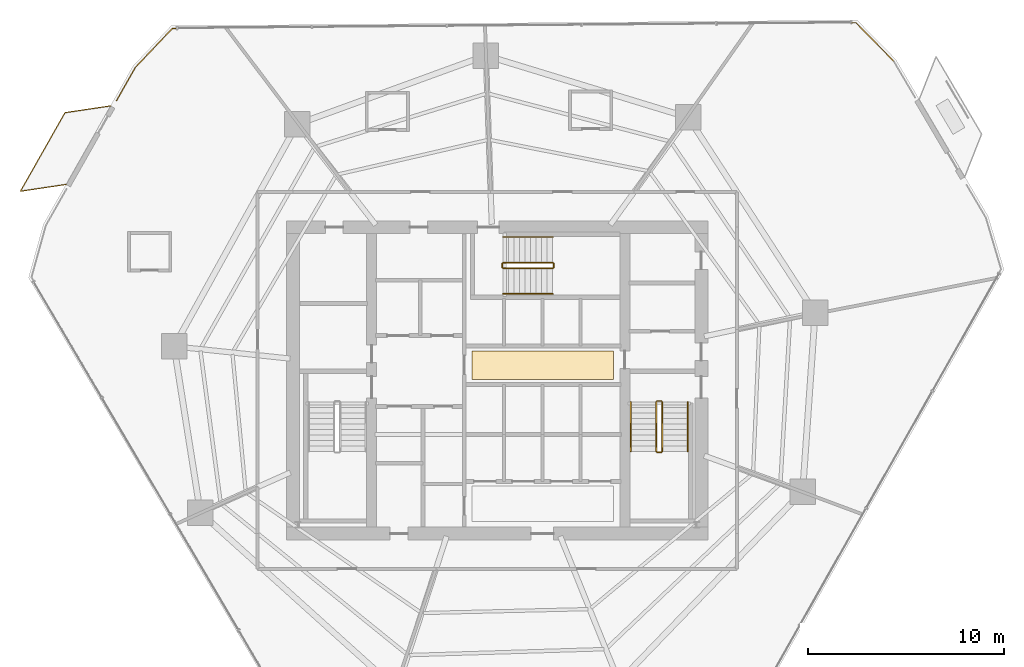
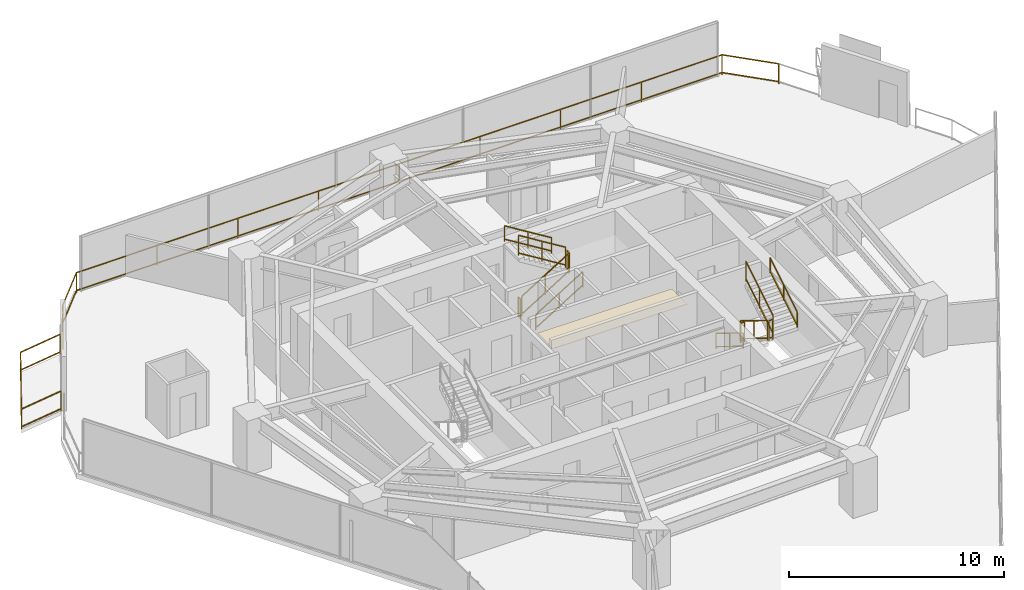
# One storey, part 30 of 31: 14 railings, 1 covering.
"""IFC4 building model written with IfcOpenShell, lengths in metres."""

from ifc_helpers import new_model, si_unit, direction, frame, origin, origin_2d, place, context, subcontext, project, spatial, rectangle, extrude, material, layer, layer_set, type_object, element, save


model = new_model("IFC4")

# Units and contexts
model_context = context("Model", 3, precision=1e-05, world=origin(), true_north=direction((0.0, 1.0)))
body_context = subcontext(model_context, "Body", "Model", "MODEL_VIEW")
ifc_project = project(units=[si_unit("LENGTHUNIT", "METRE"), si_unit("AREAUNIT", "SQUARE_METRE"), si_unit("VOLUMEUNIT", "CUBIC_METRE"), si_unit("PLANEANGLEUNIT", "RADIAN"), si_unit("MASSUNIT", "GRAM", prefix="KILO")], contexts=[model_context])

# Site, building, storey
site_placement = place(None, origin())
site = spatial("IfcSite", under=ifc_project, at=site_placement, CompositionType="ELEMENT")
building_placement = place(site_placement, origin())
building = spatial("IfcBuilding", under=site, at=building_placement, Name="Qarnah Convention Tower", CompositionType="ELEMENT")
storey_placement = place(building_placement, frame((0.0, 0.0, 68.39990234375)))
storey = spatial("IfcBuildingStorey", under=building, at=storey_placement, Name="L17", CompositionType="ELEMENT", Elevation=68.39990234375)

# Covering
ifc_material_1 = material(Name="Mineral fibre acoustic ceiling")
ifc_layer = layer(ifc_material_1, 0.02001953125)
ifc_layer_set = layer_set([ifc_layer], Name="Mineral fibre acoustic ceiling")
covering_type = type_object("IfcCoveringType", Name="COV-CEIL-20", PredefinedType="CEILING", material=ifc_layer_set)
covering_placement = place(storey_placement, frame((39.52001953125, 27.179931640625, 2.2900390625), z_axis=(0.0, 0.0, 1.0), x_axis=(1.0, 0.0, 0.0)))
element("IfcCovering", 1, at=covering_placement, inside=storey, type_object=covering_type, Name="L17 lift lobby acoustic ceiling", PredefinedType="CEILING", context=body_context, shape_type="SweptSolid", body=[
    extrude(rectangle(XDim=7.199951171875, YDim=1.449951171875, at=origin_2d()), origin(), (0.0, 0.0, 1.0), 0.02001953125),
])

# Railings
ifc_material_2 = material(Name="Black anodised aluminium", Category="aluminium")
railing_type_1 = type_object("IfcRailingType", Name="RL-EXT-GUARD-1150", PredefinedType="GUARDRAIL", material=ifc_material_2)
railing_1_placement = place(storey_placement, frame((17.81298828125, 40.64697265625, 0.0)))
element("IfcRailing", 2, at=railing_1_placement, inside=storey, type_object=railing_type_1, Name="L17 slab-edge perimeter safety guard 03", PredefinedType="GUARDRAIL", context=body_context, shape_type="SweptSolid", body=[
    extrude(rectangle(XDim=0.048095703125, YDim=0.048095703125, at=origin_2d()), frame((0.0, 0.0, 1.1259765625), z_axis=(0.492497371067, 0.870313931574, 0.0), x_axis=(-0.870313931574, 0.492497371067, 0.0)), (0.0, 0.0, 1.0), 1.937255859375),
    extrude(rectangle(XDim=0.048095703125, YDim=0.048095703125, at=origin_2d()), frame((0.0, 0.0, 0.1201171875), z_axis=(0.492497371067, 0.870313931574, 0.0), x_axis=(-0.870313931574, 0.492497371067, 0.0)), (0.0, 0.0, 1.0), 1.937255859375),
    extrude(rectangle(XDim=0.048095703125, YDim=0.048095703125, at=origin_2d()), frame((0.9541015625, 1.68603515625, 1.1259765625), z_axis=(0.688616052253, 0.725126149424, 0.0), x_axis=(-0.725126149424, 0.688616052253, 0.0)), (0.0, 0.0, 1.0), 2.74169921875),
    extrude(rectangle(XDim=0.048095703125, YDim=0.048095703125, at=origin_2d()), frame((0.9541015625, 1.68603515625, 0.1201171875), z_axis=(0.688616052253, 0.725126149424, 0.0), x_axis=(-0.725126149424, 0.688616052253, 0.0)), (0.0, 0.0, 1.0), 2.74169921875),
    extrude(rectangle(XDim=0.048095703125, YDim=0.048095703125, at=origin_2d()), frame((2.842041015625, 3.674072265625, 1.1259765625), z_axis=(0.999965062064, 0.008359105951, 0.0), x_axis=(-0.008359105951, 0.999965062064, 0.0)), (0.0, 0.0, 1.0), 34.814208984375),
    extrude(rectangle(XDim=0.048095703125, YDim=0.048095703125, at=origin_2d()), frame((2.842041015625, 3.674072265625, 0.1201171875), z_axis=(0.999965062064, 0.008359105951, 0.0), x_axis=(-0.008359105951, 0.999965062064, 0.0)), (0.0, 0.0, 1.0), 34.814208984375),
    extrude(rectangle(XDim=0.048095703125, YDim=0.048095703125, at=origin_2d()), frame((37.655029296875, 3.965087890625, 1.1259765625), z_axis=(0.700662662109, -0.713492700682, 0.0), x_axis=(0.713492700682, 0.700662662109, 0.0)), (0.0, 0.0, 1.0), 2.740234375),
    extrude(rectangle(XDim=0.048095703125, YDim=0.048095703125, at=origin_2d()), frame((37.655029296875, 3.965087890625, 0.1201171875), z_axis=(0.700662662109, -0.713492700682, 0.0), x_axis=(0.713492700682, 0.700662662109, 0.0)), (0.0, 0.0, 1.0), 2.740234375),
    extrude(rectangle(XDim=0.0419921875, YDim=0.0419921875, at=origin_2d()), origin(), (0.0, 0.0, 1.0), 1.101806640625),
    extrude(rectangle(XDim=0.0419921875, YDim=0.0419921875, at=origin_2d()), frame((0.9541015625, 1.68603515625, 0.0)), (0.0, 0.0, 1.0), 1.101806640625),
    extrude(rectangle(XDim=0.0419921875, YDim=0.0419921875, at=origin_2d()), frame((2.842041015625, 3.674072265625, 0.0)), (0.0, 0.0, 1.0), 1.101806640625),
    extrude(rectangle(XDim=0.0419921875, YDim=0.0419921875, at=origin_2d()), frame((7.193603515625, 3.71044921875, 0.0)), (0.0, 0.0, 1.0), 1.101806640625),
    extrude(rectangle(XDim=0.0419921875, YDim=0.0419921875, at=origin_2d()), frame((11.54541015625, 3.746826171875, 0.0)), (0.0, 0.0, 1.0), 1.101806640625),
    extrude(rectangle(XDim=0.0419921875, YDim=0.0419921875, at=origin_2d()), frame((15.89697265625, 3.783203125, 0.0)), (0.0, 0.0, 1.0), 1.101806640625),
    extrude(rectangle(XDim=0.0419921875, YDim=0.0419921875, at=origin_2d()), frame((20.24853515625, 3.819580078125, 0.0)), (0.0, 0.0, 1.0), 1.101806640625),
    extrude(rectangle(XDim=0.0419921875, YDim=0.0419921875, at=origin_2d()), frame((24.60009765625, 3.85595703125, 0.0)), (0.0, 0.0, 1.0), 1.101806640625),
    extrude(rectangle(XDim=0.0419921875, YDim=0.0419921875, at=origin_2d()), frame((28.95166015625, 3.892333984375, 0.0)), (0.0, 0.0, 1.0), 1.101806640625),
    extrude(rectangle(XDim=0.0419921875, YDim=0.0419921875, at=origin_2d()), frame((33.303466796875, 3.9287109375, 0.0)), (0.0, 0.0, 1.0), 1.101806640625),
    extrude(rectangle(XDim=0.0419921875, YDim=0.0419921875, at=origin_2d()), frame((37.655029296875, 3.965087890625, 0.0)), (0.0, 0.0, 1.0), 1.101806640625),
    extrude(rectangle(XDim=0.0419921875, YDim=0.0419921875, at=origin_2d()), frame((39.574951171875, 2.010009765625, 0.0)), (0.0, 0.0, 1.0), 1.101806640625),
])
railing_2_placement = place(storey_placement, frame((15.239013671875, 36.3759765625, 0.0)))
element("IfcRailing", 3, at=railing_2_placement, inside=storey, type_object=railing_type_1, Name="L17 balcony safety guard BAL-L17-C2", PredefinedType="GUARDRAIL", context=body_context, shape_type="SweptSolid", body=[
    extrude(rectangle(XDim=0.048095703125, YDim=0.048095703125, at=origin_2d()), frame((0.0, 0.0, 1.1259765625), z_axis=(-0.98908308417, -0.147358924432, 0.0), x_axis=(0.147358924432, -0.98908308417, 0.0)), (0.0, 0.0, 1.0), 2.34765625),
    extrude(rectangle(XDim=0.048095703125, YDim=0.048095703125, at=origin_2d()), frame((0.0, 0.0, 0.1201171875), z_axis=(-0.98908308417, -0.147358924432, 0.0), x_axis=(0.147358924432, -0.98908308417, 0.0)), (0.0, 0.0, 1.0), 2.34765625),
    extrude(rectangle(XDim=0.048095703125, YDim=0.048095703125, at=origin_2d()), frame((-2.322021484375, -0.345947265625, 1.1259765625), z_axis=(0.492809026367, 0.870137496911, 0.0), x_axis=(-0.870137496911, 0.492809026367, 0.0)), (0.0, 0.0, 1.0), 4.600341796875),
    extrude(rectangle(XDim=0.048095703125, YDim=0.048095703125, at=origin_2d()), frame((-2.322021484375, -0.345947265625, 0.1201171875), z_axis=(0.492809026367, 0.870137496911, 0.0), x_axis=(-0.870137496911, 0.492809026367, 0.0)), (0.0, 0.0, 1.0), 4.600341796875),
    extrude(rectangle(XDim=0.048095703125, YDim=0.048095703125, at=origin_2d()), frame((-0.054931640625, 3.656982421875, 1.1259765625), z_axis=(0.98908308417, 0.147358924432, 0.0), x_axis=(-0.147358924432, 0.98908308417, 0.0)), (0.0, 0.0, 1.0), 2.34765625),
    extrude(rectangle(XDim=0.048095703125, YDim=0.048095703125, at=origin_2d()), frame((-0.054931640625, 3.656982421875, 0.1201171875), z_axis=(0.98908308417, 0.147358924432, 0.0), x_axis=(-0.147358924432, 0.98908308417, 0.0)), (0.0, 0.0, 1.0), 2.34765625),
    extrude(rectangle(XDim=0.0419921875, YDim=0.0419921875, at=origin_2d()), origin(), (0.0, 0.0, 1.0), 1.101806640625),
    extrude(rectangle(XDim=0.0419921875, YDim=0.0419921875, at=origin_2d()), frame((-2.322021484375, -0.345947265625, 0.0)), (0.0, 0.0, 1.0), 1.101806640625),
    extrude(rectangle(XDim=0.0419921875, YDim=0.0419921875, at=origin_2d()), frame((-1.1884765625, 1.655517578125, 0.0)), (0.0, 0.0, 1.0), 1.101806640625),
    extrude(rectangle(XDim=0.0419921875, YDim=0.0419921875, at=origin_2d()), frame((-0.054931640625, 3.656982421875, 0.0)), (0.0, 0.0, 1.0), 1.101806640625),
    extrude(rectangle(XDim=0.0419921875, YDim=0.0419921875, at=origin_2d()), frame((2.26708984375, 4.0029296875, 0.0)), (0.0, 0.0, 1.0), 1.101806640625),
])
ifc_material_3 = material(Name="Structural steel S355JR", Category="steel")
railing_type_2 = type_object("IfcRailingType", Name="RL-STAIR-GUARD-1150", PredefinedType="GUARDRAIL", material=ifc_material_3)
railing_3_placement = place(storey_placement, frame((45.300048828125, 25.300048828125, 0.172607421875)))
element("IfcRailing", 4, at=railing_3_placement, inside=storey, type_object=railing_type_2, Name="L17 ST-2 stair guard 1", PredefinedType="GUARDRAIL", context=body_context, shape_type="SweptSolid", body=[
    extrude(rectangle(XDim=0.048095703125, YDim=0.048095703125, at=origin_2d()), frame((0.0, 0.0, 1.1259765625), z_axis=(0.0, -0.851400495292, 0.524516154772), x_axis=(1.0, 0.0, 0.0)), (0.0, 0.0, 1.0), 2.9599609375),
    extrude(rectangle(XDim=0.048095703125, YDim=0.048095703125, at=origin_2d()), frame((0.0, 0.0, 0.1201171875), z_axis=(0.0, -0.851400495292, 0.524516154772), x_axis=(1.0, 0.0, 0.0)), (0.0, 0.0, 1.0), 2.9599609375),
    extrude(rectangle(XDim=0.0419921875, YDim=0.0419921875, at=origin_2d()), origin(), (0.0, 0.0, 1.0), 1.101806640625),
    extrude(rectangle(XDim=0.0419921875, YDim=0.0419921875, at=origin_2d()), frame((0.0, -1.260009765625, 0.7763671875)), (0.0, 0.0, 1.0), 1.101806640625),
    extrude(rectangle(XDim=0.0419921875, YDim=0.0419921875, at=origin_2d()), frame((0.0, -2.52001953125, 1.552490234375)), (0.0, 0.0, 1.0), 1.101806640625),
])
railing_4_placement = place(storey_placement, frame((45.35009765625, 22.72998046875, 1.72509765625)))
element("IfcRailing", 5, at=railing_4_placement, inside=storey, type_object=railing_type_2, Name="L17 ST-2 stair guard 2", PredefinedType="GUARDRAIL", context=body_context, shape_type="SweptSolid", body=[
    extrude(rectangle(XDim=0.048095703125, YDim=0.048095703125, at=origin_2d()), frame((0.0, 0.0, 1.1259765625), z_axis=(1.0, 0.0, 0.0), x_axis=(0.0, 1.0, 0.0)), (0.0, 0.0, 1.0), 0.199951171875),
    extrude(rectangle(XDim=0.048095703125, YDim=0.048095703125, at=origin_2d()), frame((0.0, 0.0, 0.1201171875), z_axis=(1.0, 0.0, 0.0), x_axis=(0.0, 1.0, 0.0)), (0.0, 0.0, 1.0), 0.199951171875),
    extrude(rectangle(XDim=0.0419921875, YDim=0.0419921875, at=origin_2d()), origin(), (0.0, 0.0, 1.0), 1.101806640625),
    extrude(rectangle(XDim=0.0419921875, YDim=0.0419921875, at=origin_2d()), frame((0.199951171875, 0.0, 0.0)), (0.0, 0.0, 1.0), 1.101806640625),
])
railing_5_placement = place(storey_placement, frame((45.60009765625, 22.780029296875, 1.897705078125)))
element("IfcRailing", 6, at=railing_5_placement, inside=storey, type_object=railing_type_2, Name="L17 ST-2 stair guard 3", PredefinedType="GUARDRAIL", context=body_context, shape_type="SweptSolid", body=[
    extrude(rectangle(XDim=0.048095703125, YDim=0.048095703125, at=origin_2d()), frame((0.0, 0.0, 1.1259765625), z_axis=(0.0, 0.851400495292, 0.524516154772), x_axis=(-1.0, 0.0, 0.0)), (0.0, 0.0, 1.0), 2.9599609375),
    extrude(rectangle(XDim=0.048095703125, YDim=0.048095703125, at=origin_2d()), frame((0.0, 0.0, 0.1201171875), z_axis=(0.0, 0.851400495292, 0.524516154772), x_axis=(-1.0, 0.0, 0.0)), (0.0, 0.0, 1.0), 2.9599609375),
    extrude(rectangle(XDim=0.0419921875, YDim=0.0419921875, at=origin_2d()), origin(), (0.0, 0.0, 1.0), 1.101806640625),
    extrude(rectangle(XDim=0.0419921875, YDim=0.0419921875, at=origin_2d()), frame((0.0, 1.260009765625, 0.7763671875)), (0.0, 0.0, 1.0), 1.101806640625),
    extrude(rectangle(XDim=0.0419921875, YDim=0.0419921875, at=origin_2d()), frame((0.0, 2.52001953125, 1.552490234375)), (0.0, 0.0, 1.0), 1.101806640625),
])
railing_6_placement = place(storey_placement, frame((45.35009765625, 25.35009765625, 0.0)))
element("IfcRailing", 7, at=railing_6_placement, inside=storey, type_object=railing_type_2, Name="L17 ST-2 stair guard 4", PredefinedType="GUARDRAIL", context=body_context, shape_type="SweptSolid", body=[
    extrude(rectangle(XDim=0.048095703125, YDim=0.048095703125, at=origin_2d()), frame((0.0, 0.0, 1.1259765625), z_axis=(1.0, 0.0, 0.0), x_axis=(0.0, 1.0, 0.0)), (0.0, 0.0, 1.0), 0.199951171875),
    extrude(rectangle(XDim=0.048095703125, YDim=0.048095703125, at=origin_2d()), frame((0.0, 0.0, 0.1201171875), z_axis=(1.0, 0.0, 0.0), x_axis=(0.0, 1.0, 0.0)), (0.0, 0.0, 1.0), 0.199951171875),
    extrude(rectangle(XDim=0.0419921875, YDim=0.0419921875, at=origin_2d()), origin(), (0.0, 0.0, 1.0), 1.101806640625),
    extrude(rectangle(XDim=0.0419921875, YDim=0.0419921875, at=origin_2d()), frame((0.199951171875, 0.0, 0.0)), (0.0, 0.0, 1.0), 1.101806640625),
])
railing_7_placement = place(storey_placement, frame((37.5, 32.10009765625, 0.172607421875)))
element("IfcRailing", 8, at=railing_7_placement, inside=storey, type_object=railing_type_2, Name="L17 ST-3 stair guard 1", PredefinedType="GUARDRAIL", context=body_context, shape_type="SweptSolid", body=[
    extrude(rectangle(XDim=0.048095703125, YDim=0.048095703125, at=origin_2d()), frame((0.0, 0.0, 1.1259765625), z_axis=(0.851400495292, 0.0, 0.524516154772), x_axis=(0.0, 1.0, 0.0)), (0.0, 0.0, 1.0), 2.9599609375),
    extrude(rectangle(XDim=0.048095703125, YDim=0.048095703125, at=origin_2d()), frame((0.0, 0.0, 0.1201171875), z_axis=(0.851400495292, 0.0, 0.524516154772), x_axis=(0.0, 1.0, 0.0)), (0.0, 0.0, 1.0), 2.9599609375),
    extrude(rectangle(XDim=0.0419921875, YDim=0.0419921875, at=origin_2d()), origin(), (0.0, 0.0, 1.0), 1.101806640625),
    extrude(rectangle(XDim=0.0419921875, YDim=0.0419921875, at=origin_2d()), frame((1.260009765625, 0.0, 0.7763671875)), (0.0, 0.0, 1.0), 1.101806640625),
    extrude(rectangle(XDim=0.0419921875, YDim=0.0419921875, at=origin_2d()), frame((2.52001953125, 0.0, 1.552490234375)), (0.0, 0.0, 1.0), 1.101806640625),
])
railing_8_placement = place(storey_placement, frame((40.070068359375, 32.14990234375, 1.72509765625)))
element("IfcRailing", 9, at=railing_8_placement, inside=storey, type_object=railing_type_2, Name="L17 ST-3 stair guard 2", PredefinedType="GUARDRAIL", context=body_context, shape_type="SweptSolid", body=[
    extrude(rectangle(XDim=0.048095703125, YDim=0.048095703125, at=origin_2d()), frame((0.0, 0.0, 1.1259765625), z_axis=(0.0, 1.0, 0.0), x_axis=(-1.0, 0.0, 0.0)), (0.0, 0.0, 1.0), 0.2001953125),
    extrude(rectangle(XDim=0.048095703125, YDim=0.048095703125, at=origin_2d()), frame((0.0, 0.0, 0.1201171875), z_axis=(0.0, 1.0, 0.0), x_axis=(-1.0, 0.0, 0.0)), (0.0, 0.0, 1.0), 0.2001953125),
    extrude(rectangle(XDim=0.0419921875, YDim=0.0419921875, at=origin_2d()), origin(), (0.0, 0.0, 1.0), 1.101806640625),
    extrude(rectangle(XDim=0.0419921875, YDim=0.0419921875, at=origin_2d()), frame((0.0, 0.2001953125, 0.0)), (0.0, 0.0, 1.0), 1.101806640625),
])
railing_9_placement = place(storey_placement, frame((40.02001953125, 32.39990234375, 1.897705078125)))
element("IfcRailing", 10, at=railing_9_placement, inside=storey, type_object=railing_type_2, Name="L17 ST-3 stair guard 3", PredefinedType="GUARDRAIL", context=body_context, shape_type="SweptSolid", body=[
    extrude(rectangle(XDim=0.048095703125, YDim=0.048095703125, at=origin_2d()), frame((0.0, 0.0, 1.1259765625), z_axis=(-0.851400495292, 0.0, 0.524516154772), x_axis=(0.0, -1.0, 0.0)), (0.0, 0.0, 1.0), 2.9599609375),
    extrude(rectangle(XDim=0.048095703125, YDim=0.048095703125, at=origin_2d()), frame((0.0, 0.0, 0.1201171875), z_axis=(-0.851400495292, 0.0, 0.524516154772), x_axis=(0.0, -1.0, 0.0)), (0.0, 0.0, 1.0), 2.9599609375),
    extrude(rectangle(XDim=0.0419921875, YDim=0.0419921875, at=origin_2d()), origin(), (0.0, 0.0, 1.0), 1.101806640625),
    extrude(rectangle(XDim=0.0419921875, YDim=0.0419921875, at=origin_2d()), frame((-1.260009765625, 0.0, 0.7763671875)), (0.0, 0.0, 1.0), 1.101806640625),
    extrude(rectangle(XDim=0.0419921875, YDim=0.0419921875, at=origin_2d()), frame((-2.52001953125, 0.0, 1.552490234375)), (0.0, 0.0, 1.0), 1.101806640625),
])
railing_10_placement = place(storey_placement, frame((37.449951171875, 32.14990234375, 0.0)))
element("IfcRailing", 11, at=railing_10_placement, inside=storey, type_object=railing_type_2, Name="L17 ST-3 stair guard 4", PredefinedType="GUARDRAIL", context=body_context, shape_type="SweptSolid", body=[
    extrude(rectangle(XDim=0.048095703125, YDim=0.048095703125, at=origin_2d()), frame((0.0, 0.0, 1.1259765625), z_axis=(0.0, 1.0, 0.0), x_axis=(-1.0, 0.0, 0.0)), (0.0, 0.0, 1.0), 0.2001953125),
    extrude(rectangle(XDim=0.048095703125, YDim=0.048095703125, at=origin_2d()), frame((0.0, 0.0, 0.1201171875), z_axis=(0.0, 1.0, 0.0), x_axis=(-1.0, 0.0, 0.0)), (0.0, 0.0, 1.0), 0.2001953125),
    extrude(rectangle(XDim=0.0419921875, YDim=0.0419921875, at=origin_2d()), origin(), (0.0, 0.0, 1.0), 1.101806640625),
    extrude(rectangle(XDim=0.0419921875, YDim=0.0419921875, at=origin_2d()), frame((0.0, 0.2001953125, 0.0)), (0.0, 0.0, 1.0), 1.101806640625),
])
railing_type_3 = type_object("IfcRailingType", Name="RL-STAIR-HAND-900", PredefinedType="HANDRAIL", material=ifc_material_3)
railing_11_placement = place(storey_placement, frame((44.0, 25.300048828125, 0.172607421875)))
element("IfcRailing", 12, at=railing_11_placement, inside=storey, type_object=railing_type_3, Name="L17 ST-2 stair handrail 1", PredefinedType="HANDRAIL", context=body_context, shape_type="SweptSolid", body=[
    extrude(rectangle(XDim=0.048095703125, YDim=0.048095703125, at=origin_2d()), frame((0.0, 0.0, 0.8759765625), z_axis=(0.0, -0.851400495292, 0.524516154772), x_axis=(1.0, 0.0, 0.0)), (0.0, 0.0, 1.0), 2.9599609375),
    extrude(rectangle(XDim=0.048095703125, YDim=0.048095703125, at=origin_2d()), frame((0.0, 0.0, 0.1201171875), z_axis=(0.0, -0.851400495292, 0.524516154772), x_axis=(1.0, 0.0, 0.0)), (0.0, 0.0, 1.0), 2.9599609375),
    extrude(rectangle(XDim=0.0419921875, YDim=0.0419921875, at=origin_2d()), origin(), (0.0, 0.0, 1.0), 0.851806640625),
    extrude(rectangle(XDim=0.0419921875, YDim=0.0419921875, at=origin_2d()), frame((0.0, -1.260009765625, 0.7763671875)), (0.0, 0.0, 1.0), 0.851806640625),
    extrude(rectangle(XDim=0.0419921875, YDim=0.0419921875, at=origin_2d()), frame((0.0, -2.52001953125, 1.552490234375)), (0.0, 0.0, 1.0), 0.851806640625),
])
railing_12_placement = place(storey_placement, frame((46.89990234375, 22.780029296875, 1.897705078125)))
element("IfcRailing", 13, at=railing_12_placement, inside=storey, type_object=railing_type_3, Name="L17 ST-2 stair handrail 2", PredefinedType="HANDRAIL", context=body_context, shape_type="SweptSolid", body=[
    extrude(rectangle(XDim=0.048095703125, YDim=0.048095703125, at=origin_2d()), frame((0.0, 0.0, 0.8759765625), z_axis=(0.0, 0.851400495292, 0.524516154772), x_axis=(-1.0, 0.0, 0.0)), (0.0, 0.0, 1.0), 2.9599609375),
    extrude(rectangle(XDim=0.048095703125, YDim=0.048095703125, at=origin_2d()), frame((0.0, 0.0, 0.1201171875), z_axis=(0.0, 0.851400495292, 0.524516154772), x_axis=(-1.0, 0.0, 0.0)), (0.0, 0.0, 1.0), 2.9599609375),
    extrude(rectangle(XDim=0.0419921875, YDim=0.0419921875, at=origin_2d()), origin(), (0.0, 0.0, 1.0), 0.851806640625),
    extrude(rectangle(XDim=0.0419921875, YDim=0.0419921875, at=origin_2d()), frame((0.0, 1.260009765625, 0.7763671875)), (0.0, 0.0, 1.0), 0.851806640625),
    extrude(rectangle(XDim=0.0419921875, YDim=0.0419921875, at=origin_2d()), frame((0.0, 2.52001953125, 1.552490234375)), (0.0, 0.0, 1.0), 0.851806640625),
])
railing_13_placement = place(storey_placement, frame((37.5, 30.800048828125, 0.172607421875)))
element("IfcRailing", 14, at=railing_13_placement, inside=storey, type_object=railing_type_3, Name="L17 ST-3 stair handrail 1", PredefinedType="HANDRAIL", context=body_context, shape_type="SweptSolid", body=[
    extrude(rectangle(XDim=0.048095703125, YDim=0.048095703125, at=origin_2d()), frame((0.0, 0.0, 0.8759765625), z_axis=(0.851400495292, 0.0, 0.524516154772), x_axis=(0.0, 1.0, 0.0)), (0.0, 0.0, 1.0), 2.9599609375),
    extrude(rectangle(XDim=0.048095703125, YDim=0.048095703125, at=origin_2d()), frame((0.0, 0.0, 0.1201171875), z_axis=(0.851400495292, 0.0, 0.524516154772), x_axis=(0.0, 1.0, 0.0)), (0.0, 0.0, 1.0), 2.9599609375),
    extrude(rectangle(XDim=0.0419921875, YDim=0.0419921875, at=origin_2d()), origin(), (0.0, 0.0, 1.0), 0.851806640625),
    extrude(rectangle(XDim=0.0419921875, YDim=0.0419921875, at=origin_2d()), frame((1.260009765625, 0.0, 0.7763671875)), (0.0, 0.0, 1.0), 0.851806640625),
    extrude(rectangle(XDim=0.0419921875, YDim=0.0419921875, at=origin_2d()), frame((2.52001953125, 0.0, 1.552490234375)), (0.0, 0.0, 1.0), 0.851806640625),
])
railing_14_placement = place(storey_placement, frame((40.02001953125, 33.699951171875, 1.897705078125)))
element("IfcRailing", 15, at=railing_14_placement, inside=storey, type_object=railing_type_3, Name="L17 ST-3 stair handrail 2", PredefinedType="HANDRAIL", context=body_context, shape_type="SweptSolid", body=[
    extrude(rectangle(XDim=0.048095703125, YDim=0.048095703125, at=origin_2d()), frame((0.0, 0.0, 0.8759765625), z_axis=(-0.851400495292, 0.0, 0.524516154772), x_axis=(0.0, -1.0, 0.0)), (0.0, 0.0, 1.0), 2.9599609375),
    extrude(rectangle(XDim=0.048095703125, YDim=0.048095703125, at=origin_2d()), frame((0.0, 0.0, 0.1201171875), z_axis=(-0.851400495292, 0.0, 0.524516154772), x_axis=(0.0, -1.0, 0.0)), (0.0, 0.0, 1.0), 2.9599609375),
    extrude(rectangle(XDim=0.0419921875, YDim=0.0419921875, at=origin_2d()), origin(), (0.0, 0.0, 1.0), 0.851806640625),
    extrude(rectangle(XDim=0.0419921875, YDim=0.0419921875, at=origin_2d()), frame((-1.260009765625, 0.0, 0.7763671875)), (0.0, 0.0, 1.0), 0.851806640625),
    extrude(rectangle(XDim=0.0419921875, YDim=0.0419921875, at=origin_2d()), frame((-2.52001953125, 0.0, 1.552490234375)), (0.0, 0.0, 1.0), 0.851806640625),
])

save(model, "model.ifc")
